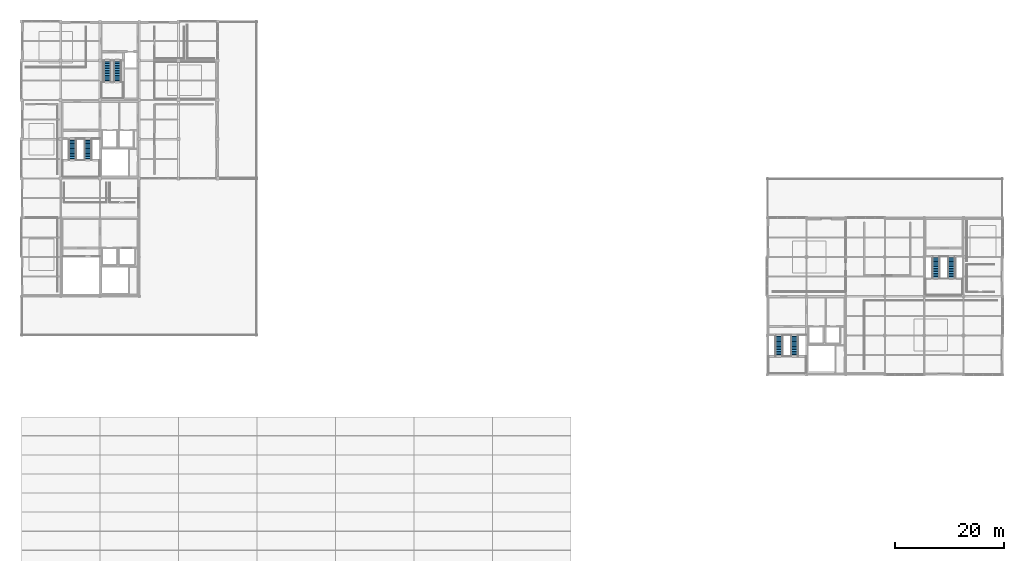
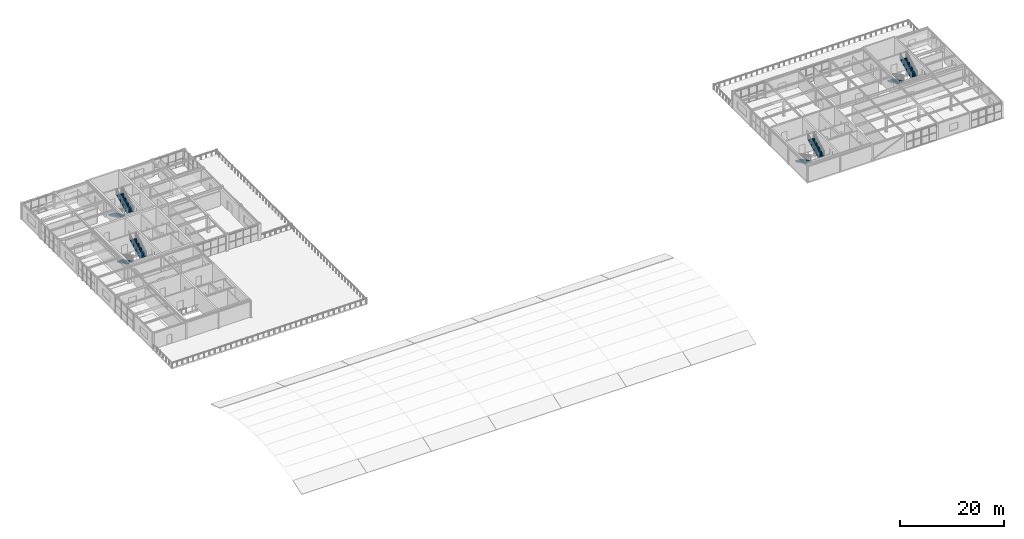
# One storey, part 26 of 30: 8 stair flights, 4 elements without a shape of their own.
"""IFC4 building model written with IfcOpenShell, lengths in metres."""

from ifc_helpers import new_model, si_unit, direction, frame, origin, place, context, subcontext, project, spatial, polyline, outline, extrude, material, layer, layer_set, type_object, element, aggregate, save


model = new_model("IFC4")

# Units and contexts
model_context = context("Model", 3, precision=1e-05, world=origin(), true_north=direction((0.0, 1.0)))
body_context = subcontext(model_context, "Body", "Model", "MODEL_VIEW")
ifc_project = project(units=[si_unit("LENGTHUNIT", "METRE"), si_unit("AREAUNIT", "SQUARE_METRE"), si_unit("VOLUMEUNIT", "CUBIC_METRE"), si_unit("PLANEANGLEUNIT", "RADIAN"), si_unit("MASSUNIT", "GRAM", prefix="KILO")], contexts=[model_context])

# Site, building, storey
site_placement = place(None, origin())
site = spatial("IfcSite", under=ifc_project, at=site_placement, CompositionType="ELEMENT")
building_placement = place(site_placement, origin())
building = spatial("IfcBuilding", under=site, at=building_placement, Name="Leyfeld Transit Interchange", CompositionType="ELEMENT")
storey_placement = place(building_placement, frame((0.0, 0.0, 13.800048828125)))
storey = spatial("IfcBuildingStorey", under=building, at=storey_placement, Name="L03", CompositionType="ELEMENT", Elevation=13.800048828125)

# Stair, stair flights
ifc_material = material(Name="Precast concrete C40/50", Category="concrete")
stair_type_1 = type_object("IfcStairType", Name="STR-HT-150x300", PredefinedType="HALF_TURN_STAIR", material=ifc_material)
stair_1_placement = place(storey_placement, origin())
stair_1 = element("IfcStair", 1, at=stair_1_placement, inside=storey, type_object=stair_type_1, Name="Exit Stair ST-01 (L03 to L04)", PredefinedType="HALF_TURN_STAIR")
ifc_layer_1 = layer(ifc_material, 0.199951171875, Name="Precast concrete C40/50")
ifc_layer_set_1 = layer_set([ifc_layer_1], Name="Precast concrete C40/50")
stair_flight_type_1 = type_object("IfcStairFlightType", Name="FLT-1350", PredefinedType="STRAIGHT", material=ifc_layer_set_1)
stair_flight_1_placement = place(storey_placement, frame((9.35009765625, 100.89990234375, 0.0), z_axis=(0.0, 0.0, 1.0), x_axis=(0.0, -1.0, 0.0)))
stair_flight_1 = element("IfcStairFlight", 2, at=stair_flight_1_placement, type_object=stair_flight_type_1, Name="Stair ST-01 L03 Flight 1", NumberOfRisers=14, NumberOfTreads=13, PredefinedType="STRAIGHT", RiserHeight=0.15, TreadLength=0.3, context=body_context, shape_type="SweptSolid", body=[
    extrude(outline(polyline([(0.0, 0.0), (0.0, 0.14990234375), (0.300048828125, 0.14990234375), (0.300048828125, 0.300048828125), (0.60009765625, 0.300048828125), (0.60009765625, 0.449951171875), (0.89990234375, 0.449951171875), (0.89990234375, 0.60009765625), (1.199951171875, 0.60009765625), (1.199951171875, 0.75), (1.5, 0.75), (1.5, 0.89990234375), (1.800048828125, 0.89990234375), (1.800048828125, 1.050048828125), (2.10009765625, 1.050048828125), (2.10009765625, 1.199951171875), (2.39990234375, 1.199951171875), (2.39990234375, 1.35009765625), (2.699951171875, 1.35009765625), (2.699951171875, 1.5), (3.0, 1.5), (3.0, 1.64990234375), (3.300048828125, 1.64990234375), (3.300048828125, 1.800048828125), (3.60009765625, 1.800048828125), (3.60009765625, 1.949951171875), (3.89990234375, 1.949951171875), (3.89990234375, 2.10009765625), (3.89990234375, 1.7265625), (0.447021484375, 0.0), (0.0, 0.0)])), frame((0.0, 0.675048828125, 0.0), z_axis=(0.0, -1.0, 0.0), x_axis=(1.0, 0.0, 0.0)), (0.0, 0.0, 1.0), 1.35009765625),
])
stair_flight_2_placement = place(storey_placement, frame((12.25, 97.0, 2.099853515625), z_axis=(0.0, 0.0, 1.0), x_axis=(0.0, 1.0, 0.0)))
stair_flight_2 = element("IfcStairFlight", 3, at=stair_flight_2_placement, type_object=stair_flight_type_1, Name="Stair ST-01 L03 Flight 2", NumberOfRisers=14, NumberOfTreads=13, PredefinedType="STRAIGHT", RiserHeight=0.15, TreadLength=0.3, context=body_context, shape_type="SweptSolid", body=[
    extrude(outline(polyline([(0.0, 0.0), (0.0, 0.14990234375), (0.300048828125, 0.14990234375), (0.300048828125, 0.300048828125), (0.60009765625, 0.300048828125), (0.60009765625, 0.449951171875), (0.89990234375, 0.449951171875), (0.89990234375, 0.60009765625), (1.199951171875, 0.60009765625), (1.199951171875, 0.75), (1.5, 0.75), (1.5, 0.89990234375), (1.800048828125, 0.89990234375), (1.800048828125, 1.050048828125), (2.10009765625, 1.050048828125), (2.10009765625, 1.199951171875), (2.39990234375, 1.199951171875), (2.39990234375, 1.35009765625), (2.699951171875, 1.35009765625), (2.699951171875, 1.5), (3.0, 1.5), (3.0, 1.64990234375), (3.300048828125, 1.64990234375), (3.300048828125, 1.800048828125), (3.60009765625, 1.800048828125), (3.60009765625, 1.949951171875), (3.89990234375, 1.949951171875), (3.89990234375, 2.10009765625), (3.89990234375, 1.7265625), (0.447021484375, 0.0), (0.0, 0.0)])), frame((0.0, 0.675048828125, 0.0), z_axis=(0.0, -1.0, 0.0), x_axis=(1.0, 0.0, 0.0)), (0.0, 0.0, 1.0), 1.35009765625),
])
aggregate(stair_1, [stair_flight_1, stair_flight_2])

stair_2_placement = place(storey_placement, origin())
stair_2 = element("IfcStair", 4, at=stair_2_placement, inside=storey, type_object=stair_type_1, Name="Exit Stair ST-04 (L03 to L04)", PredefinedType="HALF_TURN_STAIR")
stair_flight_3_placement = place(storey_placement, frame((138.949951171875, 64.89990234375, 0.0), z_axis=(0.0, 0.0, 1.0), x_axis=(0.0, -1.0, 0.0)))
stair_flight_3 = element("IfcStairFlight", 5, at=stair_flight_3_placement, type_object=stair_flight_type_1, Name="Stair ST-04 L03 Flight 1", NumberOfRisers=14, NumberOfTreads=13, PredefinedType="STRAIGHT", RiserHeight=0.15, TreadLength=0.3, context=body_context, shape_type="SweptSolid", body=[
    extrude(outline(polyline([(0.0, 0.0), (0.0, 0.14990234375), (0.300048828125, 0.14990234375), (0.300048828125, 0.300048828125), (0.60009765625, 0.300048828125), (0.60009765625, 0.449951171875), (0.89990234375, 0.449951171875), (0.89990234375, 0.60009765625), (1.199951171875, 0.60009765625), (1.199951171875, 0.75), (1.5, 0.75), (1.5, 0.89990234375), (1.800048828125, 0.89990234375), (1.800048828125, 1.050048828125), (2.10009765625, 1.050048828125), (2.10009765625, 1.199951171875), (2.39990234375, 1.199951171875), (2.39990234375, 1.35009765625), (2.699951171875, 1.35009765625), (2.699951171875, 1.5), (3.0, 1.5), (3.0, 1.64990234375), (3.300048828125, 1.64990234375), (3.300048828125, 1.800048828125), (3.60009765625, 1.800048828125), (3.60009765625, 1.949951171875), (3.89990234375, 1.949951171875), (3.89990234375, 2.10009765625), (3.89990234375, 1.7265625), (0.447021484375, 0.0), (0.0, 0.0)])), frame((0.0, 0.675048828125, 0.0), z_axis=(0.0, -1.0, 0.0), x_axis=(1.0, 0.0, 0.0)), (0.0, 0.0, 1.0), 1.35009765625),
])
stair_flight_4_placement = place(storey_placement, frame((141.85009765625, 61.0, 2.099853515625), z_axis=(0.0, 0.0, 1.0), x_axis=(0.0, 1.0, 0.0)))
stair_flight_4 = element("IfcStairFlight", 6, at=stair_flight_4_placement, type_object=stair_flight_type_1, Name="Stair ST-04 L03 Flight 2", NumberOfRisers=14, NumberOfTreads=13, PredefinedType="STRAIGHT", RiserHeight=0.15, TreadLength=0.3, context=body_context, shape_type="SweptSolid", body=[
    extrude(outline(polyline([(0.0, 0.0), (0.0, 0.14990234375), (0.300048828125, 0.14990234375), (0.300048828125, 0.300048828125), (0.60009765625, 0.300048828125), (0.60009765625, 0.449951171875), (0.89990234375, 0.449951171875), (0.89990234375, 0.60009765625), (1.199951171875, 0.60009765625), (1.199951171875, 0.75), (1.5, 0.75), (1.5, 0.89990234375), (1.800048828125, 0.89990234375), (1.800048828125, 1.050048828125), (2.10009765625, 1.050048828125), (2.10009765625, 1.199951171875), (2.39990234375, 1.199951171875), (2.39990234375, 1.35009765625), (2.699951171875, 1.35009765625), (2.699951171875, 1.5), (3.0, 1.5), (3.0, 1.64990234375), (3.300048828125, 1.64990234375), (3.300048828125, 1.800048828125), (3.60009765625, 1.800048828125), (3.60009765625, 1.949951171875), (3.89990234375, 1.949951171875), (3.89990234375, 2.10009765625), (3.89990234375, 1.7265625), (0.447021484375, 0.0), (0.0, 0.0)])), frame((0.0, 0.675048828125, 0.0), z_axis=(0.0, -1.0, 0.0), x_axis=(1.0, 0.0, 0.0)), (0.0, 0.0, 1.0), 1.35009765625),
])
aggregate(stair_2, [stair_flight_3, stair_flight_4])

stair_type_2 = type_object("IfcStairType", Name="STR-HT-150x310", PredefinedType="HALF_TURN_STAIR", material=ifc_material)
stair_3_placement = place(storey_placement, origin())
stair_3 = element("IfcStair", 7, at=stair_3_placement, inside=storey, type_object=stair_type_2, Name="Exit Stair ST-02 (L03 to L04)", PredefinedType="HALF_TURN_STAIR")
ifc_layer_2 = layer(ifc_material, 0.199951171875, Name="Precast concrete C40/50")
ifc_layer_set_2 = layer_set([ifc_layer_2], Name="Precast concrete C40/50")
stair_flight_type_2 = type_object("IfcStairFlightType", Name="FLT-1400", PredefinedType="STRAIGHT", material=ifc_layer_set_2)
stair_flight_5_placement = place(storey_placement, frame((15.719970703125, 115.300048828125, 0.0), z_axis=(0.0, 0.0, 1.0), x_axis=(0.0, -1.0, 0.0)))
stair_flight_5 = element("IfcStairFlight", 8, at=stair_flight_5_placement, type_object=stair_flight_type_2, Name="Stair ST-02 L03 Flight 1", NumberOfRisers=14, NumberOfTreads=13, PredefinedType="STRAIGHT", RiserHeight=0.15, TreadLength=0.31, context=body_context, shape_type="SweptSolid", body=[
    extrude(outline(polyline([(0.0, 0.0), (0.0, 0.14990234375), (0.31005859375, 0.14990234375), (0.31005859375, 0.300048828125), (0.6201171875, 0.300048828125), (0.6201171875, 0.449951171875), (0.929931640625, 0.449951171875), (0.929931640625, 0.60009765625), (1.239990234375, 0.60009765625), (1.239990234375, 0.75), (1.550048828125, 0.75), (1.550048828125, 0.89990234375), (1.860107421875, 0.89990234375), (1.860107421875, 1.050048828125), (2.169921875, 1.050048828125), (2.169921875, 1.199951171875), (2.47998046875, 1.199951171875), (2.47998046875, 1.35009765625), (2.7900390625, 1.35009765625), (2.7900390625, 1.5), (3.10009765625, 1.5), (3.10009765625, 1.64990234375), (3.409912109375, 1.64990234375), (3.409912109375, 1.800048828125), (3.719970703125, 1.800048828125), (3.719970703125, 1.949951171875), (4.030029296875, 1.949951171875), (4.030029296875, 2.10009765625), (4.030029296875, 1.727783203125), (0.458984375, 0.0), (0.0, 0.0)])), frame((0.0, 0.699951171875, 0.0), z_axis=(0.0, -1.0, 0.0), x_axis=(1.0, 0.0, 0.0)), (0.0, 0.0, 1.0), 1.39990234375),
])
stair_flight_6_placement = place(storey_placement, frame((17.6201171875, 111.27001953125, 2.099853515625), z_axis=(0.0, 0.0, 1.0), x_axis=(0.0, 1.0, 0.0)))
stair_flight_6 = element("IfcStairFlight", 9, at=stair_flight_6_placement, type_object=stair_flight_type_2, Name="Stair ST-02 L03 Flight 2", NumberOfRisers=14, NumberOfTreads=13, PredefinedType="STRAIGHT", RiserHeight=0.15, TreadLength=0.31, context=body_context, shape_type="SweptSolid", body=[
    extrude(outline(polyline([(0.0, 0.0), (0.0, 0.14990234375), (0.31005859375, 0.14990234375), (0.31005859375, 0.300048828125), (0.6201171875, 0.300048828125), (0.6201171875, 0.449951171875), (0.929931640625, 0.449951171875), (0.929931640625, 0.60009765625), (1.239990234375, 0.60009765625), (1.239990234375, 0.75), (1.550048828125, 0.75), (1.550048828125, 0.89990234375), (1.860107421875, 0.89990234375), (1.860107421875, 1.050048828125), (2.169921875, 1.050048828125), (2.169921875, 1.199951171875), (2.47998046875, 1.199951171875), (2.47998046875, 1.35009765625), (2.7900390625, 1.35009765625), (2.7900390625, 1.5), (3.10009765625, 1.5), (3.10009765625, 1.64990234375), (3.409912109375, 1.64990234375), (3.409912109375, 1.800048828125), (3.719970703125, 1.800048828125), (3.719970703125, 1.949951171875), (4.030029296875, 1.949951171875), (4.030029296875, 2.10009765625), (4.030029296875, 1.727783203125), (0.458984375, 0.0), (0.0, 0.0)])), frame((0.0, 0.699951171875, 0.0), z_axis=(0.0, -1.0, 0.0), x_axis=(1.0, 0.0, 0.0)), (0.0, 0.0, 1.0), 1.39990234375),
])
aggregate(stair_3, [stair_flight_5, stair_flight_6])

stair_4_placement = place(storey_placement, origin())
stair_4 = element("IfcStair", 10, at=stair_4_placement, inside=storey, type_object=stair_type_2, Name="Exit Stair ST-05 (L03 to L04)", PredefinedType="HALF_TURN_STAIR")
stair_flight_7_placement = place(storey_placement, frame((167.75, 79.300048828125, 0.0), z_axis=(0.0, 0.0, 1.0), x_axis=(0.0, -1.0, 0.0)))
stair_flight_7 = element("IfcStairFlight", 11, at=stair_flight_7_placement, type_object=stair_flight_type_2, Name="Stair ST-05 L03 Flight 1", NumberOfRisers=14, NumberOfTreads=13, PredefinedType="STRAIGHT", RiserHeight=0.15, TreadLength=0.31, context=body_context, shape_type="SweptSolid", body=[
    extrude(outline(polyline([(0.0, 0.0), (0.0, 0.14990234375), (0.31005859375, 0.14990234375), (0.31005859375, 0.300048828125), (0.6201171875, 0.300048828125), (0.6201171875, 0.449951171875), (0.929931640625, 0.449951171875), (0.929931640625, 0.60009765625), (1.239990234375, 0.60009765625), (1.239990234375, 0.75), (1.550048828125, 0.75), (1.550048828125, 0.89990234375), (1.860107421875, 0.89990234375), (1.860107421875, 1.050048828125), (2.169921875, 1.050048828125), (2.169921875, 1.199951171875), (2.47998046875, 1.199951171875), (2.47998046875, 1.35009765625), (2.7900390625, 1.35009765625), (2.7900390625, 1.5), (3.10009765625, 1.5), (3.10009765625, 1.64990234375), (3.409912109375, 1.64990234375), (3.409912109375, 1.800048828125), (3.719970703125, 1.800048828125), (3.719970703125, 1.949951171875), (4.030029296875, 1.949951171875), (4.030029296875, 2.10009765625), (4.030029296875, 1.727783203125), (0.458984375, 0.0), (0.0, 0.0)])), frame((0.0, 0.699951171875, 0.0), z_axis=(0.0, -1.0, 0.0), x_axis=(1.0, 0.0, 0.0)), (0.0, 0.0, 1.0), 1.39990234375),
])
stair_flight_8_placement = place(storey_placement, frame((170.64990234375, 75.27001953125, 2.099853515625), z_axis=(0.0, 0.0, 1.0), x_axis=(0.0, 1.0, 0.0)))
stair_flight_8 = element("IfcStairFlight", 12, at=stair_flight_8_placement, type_object=stair_flight_type_2, Name="Stair ST-05 L03 Flight 2", NumberOfRisers=14, NumberOfTreads=13, PredefinedType="STRAIGHT", RiserHeight=0.15, TreadLength=0.31, context=body_context, shape_type="SweptSolid", body=[
    extrude(outline(polyline([(0.0, 0.0), (0.0, 0.14990234375), (0.31005859375, 0.14990234375), (0.31005859375, 0.300048828125), (0.6201171875, 0.300048828125), (0.6201171875, 0.449951171875), (0.929931640625, 0.449951171875), (0.929931640625, 0.60009765625), (1.239990234375, 0.60009765625), (1.239990234375, 0.75), (1.550048828125, 0.75), (1.550048828125, 0.89990234375), (1.860107421875, 0.89990234375), (1.860107421875, 1.050048828125), (2.169921875, 1.050048828125), (2.169921875, 1.199951171875), (2.47998046875, 1.199951171875), (2.47998046875, 1.35009765625), (2.7900390625, 1.35009765625), (2.7900390625, 1.5), (3.10009765625, 1.5), (3.10009765625, 1.64990234375), (3.409912109375, 1.64990234375), (3.409912109375, 1.800048828125), (3.719970703125, 1.800048828125), (3.719970703125, 1.949951171875), (4.030029296875, 1.949951171875), (4.030029296875, 2.10009765625), (4.030029296875, 1.727783203125), (0.458984375, 0.0), (0.0, 0.0)])), frame((0.0, 0.699951171875, 0.0), z_axis=(0.0, -1.0, 0.0), x_axis=(1.0, 0.0, 0.0)), (0.0, 0.0, 1.0), 1.39990234375),
])
aggregate(stair_4, [stair_flight_7, stair_flight_8])

save(model, "model.ifc")
